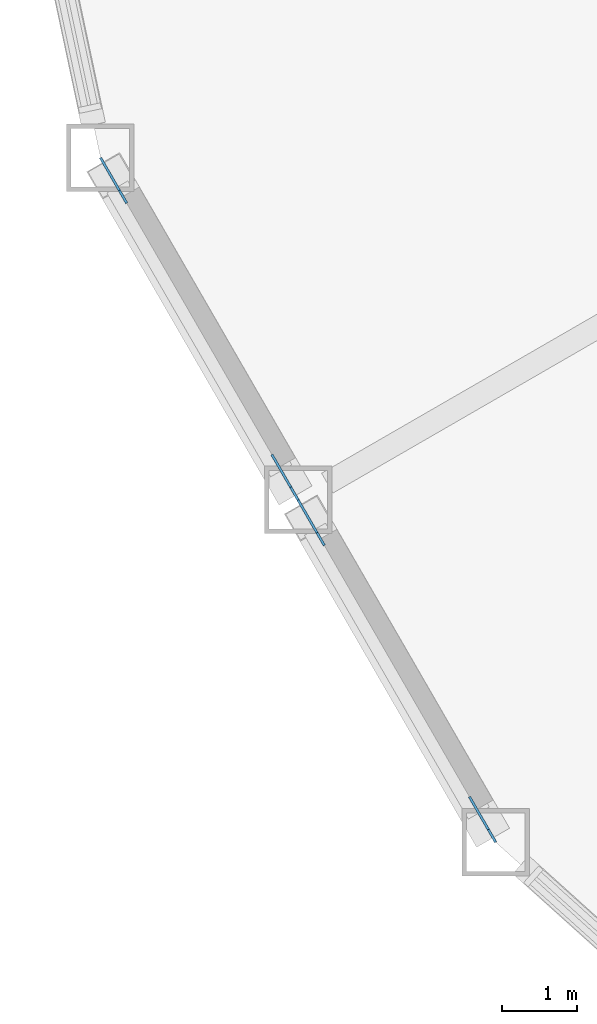
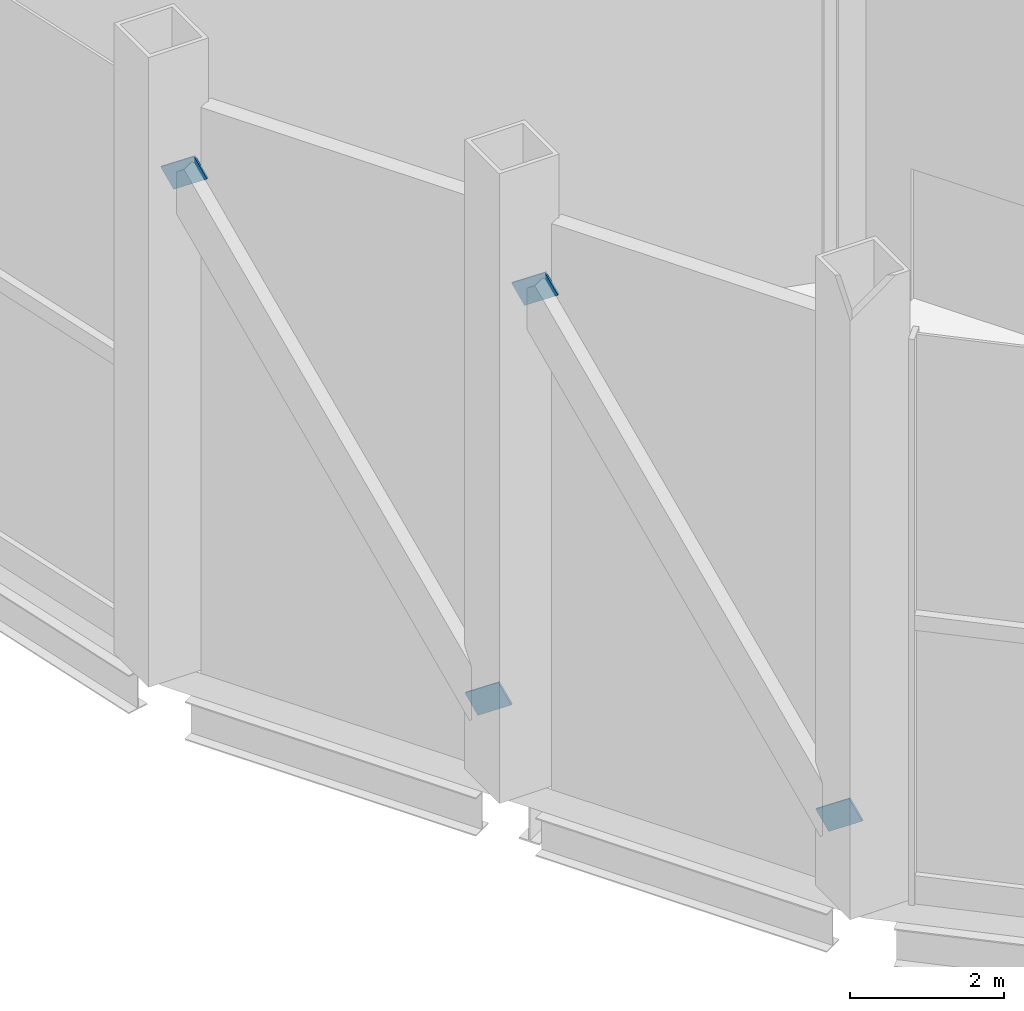
# One storey, part 12 of 18: 4 discrete accessories.
"""IFC4 building model written with IfcOpenShell, lengths in metres."""

from ifc_helpers import new_model, si_unit, direction, frame, origin, origin_2d, place, context, subcontext, project, spatial, rectangle, extrude, material, material_profile, profile_set, type_object, element, save


model = new_model("IFC4")

# Units and contexts
model_context = context("Model", 3, precision=1e-05, world=origin(), true_north=direction((0.0, 1.0)))
body_context = subcontext(model_context, "Body", "Model", "MODEL_VIEW")
ifc_project = project(units=[si_unit("LENGTHUNIT", "METRE"), si_unit("AREAUNIT", "SQUARE_METRE"), si_unit("VOLUMEUNIT", "CUBIC_METRE"), si_unit("PLANEANGLEUNIT", "RADIAN"), si_unit("MASSUNIT", "GRAM", prefix="KILO")], contexts=[model_context])

# Site, building, storey
site_placement = place(None, origin())
site = spatial("IfcSite", under=ifc_project, at=site_placement, CompositionType="ELEMENT")
building_placement = place(site_placement, origin())
building = spatial("IfcBuilding", under=site, at=building_placement, Name="Cormorant Prow Tower", CompositionType="ELEMENT")
storey_placement = place(building_placement, frame((0.0, 0.0, 154.199951171875)))
storey = spatial("IfcBuildingStorey", under=building, at=storey_placement, Name="L33", CompositionType="ELEMENT", Elevation=154.199951171875)

# Discrete accessories
ifc_material = material(Name="Structural steel ASTM A500 Gr C", Category="steel")
ifc_material_profile = material_profile(ifc_material, rectangle(XDim=0.031982421875, YDim=0.60791015625, at=origin_2d()), Name="Gusset plate 32x608")
ifc_profile_set = profile_set([ifc_material_profile], Name="Structural steel ASTM A500 Gr C")
discrete_accessory_type = type_object("IfcDiscreteAccessoryType", Name="Gusset plate 32x608", PredefinedType="BRACKET", material=ifc_profile_set)
for number, where, z_axis, x_axis, name in (
    (1, (-28.358642578125, -15.855224609375, 1.2626953125), (0.280266044994, -0.485236734616, -0.828248909086), (0.865936922628, 0.500153222552, 0.0), "Gusset plate GP1 L33.WSW00.g0"),
    (2, (-30.545166015625, -12.068115234375, 7.726318359375), (-0.280266044994, 0.485236734616, 0.828248909086), (-0.865936922628, -0.500153222552, 0.0), "Gusset plate GP1 L33.WSW00.g1"),
    (3, (-25.723876953125, -20.4189453125, 1.2626953125), (0.280266044994, -0.485236734616, -0.828248909086), (0.865936922628, 0.500153222552, 0.0), "Gusset plate GP1 L33.WSW01.g0"),
    (4, (-27.910400390625, -16.631591796875, 7.726318359375), (-0.280360838104, 0.484703439011, 0.82852904395), (-0.865625187776, -0.500692554656, 0.0), "Gusset plate GP1 L33.WSW01.g1"),
):
    element("IfcDiscreteAccessory", number, at=place(storey_placement, frame(where, z_axis=z_axis, x_axis=x_axis)), inside=storey, type_object=discrete_accessory_type, Name=name, PredefinedType="BRACKET", context=body_context, shape_type="SweptSolid", body=[
        extrude(rectangle(XDim=0.031982421875, YDim=0.60791015625, at=origin_2d()), origin(), (0.0, 0.0, 1.0), 0.35009765625),
    ])

save(model, "model.ifc")
